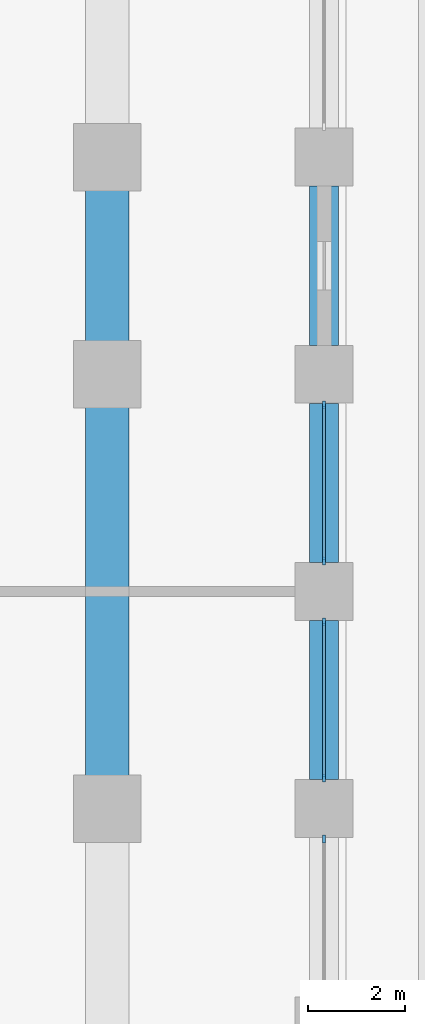
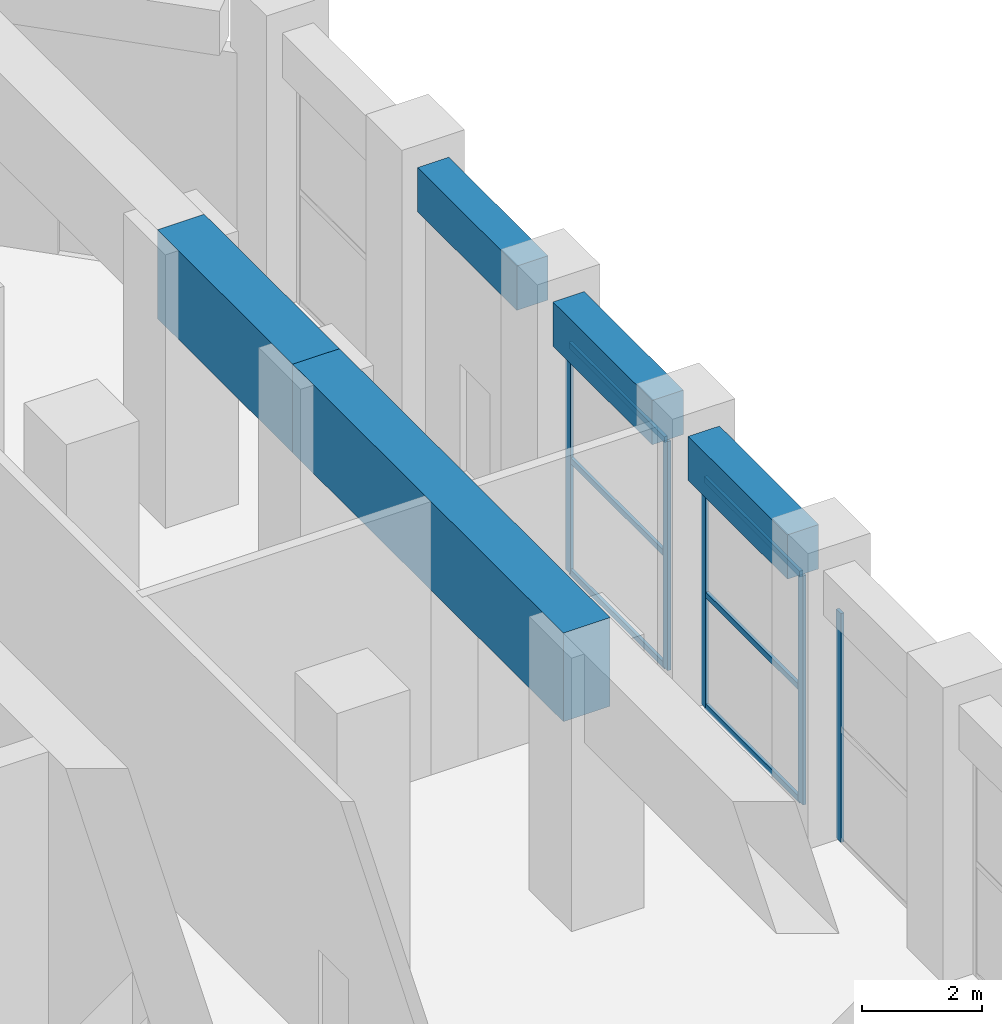
# One storey, part 8 of 24: 11 members, 5 beams, 3 elements without a shape of their own.
"""IFC4 building model written with IfcOpenShell, lengths in metres."""

from ifc_helpers import new_model, si_unit, direction, frame, origin, origin_2d, place, context, subcontext, project, spatial, rectangle, extrude, material, material_profile, profile_set, type_object, element, aggregate, save


model = new_model("IFC4")

# Units and contexts
model_context = context("Model", 3, precision=1e-05, world=origin(), true_north=direction((0.0, 1.0)))
body_context = subcontext(model_context, "Body", "Model", "MODEL_VIEW")
ifc_project = project(units=[si_unit("LENGTHUNIT", "METRE"), si_unit("AREAUNIT", "SQUARE_METRE"), si_unit("VOLUMEUNIT", "CUBIC_METRE"), si_unit("PLANEANGLEUNIT", "RADIAN"), si_unit("MASSUNIT", "GRAM", prefix="KILO")], contexts=[model_context])

# Site, building, storey
site_placement = place(None, origin())
site = spatial("IfcSite", under=ifc_project, at=site_placement, CompositionType="ELEMENT")
building_placement = place(site_placement, origin())
building = spatial("IfcBuilding", under=site, at=building_placement, Name="Corbel Stack Research Tower", CompositionType="ELEMENT")
storey_placement = place(building_placement, frame((0.0, 0.0, 110.699951171875)))
storey = spatial("IfcBuildingStorey", under=building, at=storey_placement, Name="L25", CompositionType="ELEMENT", Elevation=110.699951171875)

# Curtain wall, member
ifc_material_1 = material(Name="Aluminium frame, clear glass", Category="aluminium")
curtain_wall_type = type_object("IfcCurtainWallType", Name="Amenity floor curtain wall CW2", PredefinedType="NOTDEFINED", material=ifc_material_1)
curtain_wall_1_placement = place(storey_placement, origin())
curtain_wall_1 = element("IfcCurtainWall", 1, at=curtain_wall_1_placement, inside=storey, type_object=curtain_wall_type, Name="Curtain wall CW2 L25 E06", PredefinedType="NOTDEFINED")
ifc_material_2 = material(Name="Aluminium mullion", Category="aluminium")
ifc_material_profile_1 = material_profile(ifc_material_2, rectangle(XDim=0.06005859375, YDim=0.159912109375, at=origin_2d()), Name="Mullion 60 x 160")
ifc_profile_set_1 = profile_set([ifc_material_profile_1], Name="Aluminium mullion")
member_type_1 = type_object("IfcMemberType", Name="Curtain wall mullion 60 x 160", PredefinedType="MULLION", material=ifc_profile_set_1)
member_1_placement = place(storey_placement, frame((31.5, 8.3701171875, 0.0), z_axis=(0.0, 0.0, 1.0), x_axis=(-1.0, 0.0, 0.0)))
member_1 = element("IfcMember", 2, at=member_1_placement, type_object=member_type_1, Name="CW2 L25 E06 mullion 2", PredefinedType="MULLION", context=body_context, shape_type="SweptSolid", body=[
    extrude(rectangle(XDim=0.06005859375, YDim=0.159912109375, at=origin_2d()), origin(), (0.0, 0.0, 1.0), 4.650146484375),
])
aggregate(curtain_wall_1, [member_1])

# Curtain wall, members
curtain_wall_2_placement = place(storey_placement, origin())
curtain_wall_2 = element("IfcCurtainWall", 3, at=curtain_wall_2_placement, inside=storey, type_object=curtain_wall_type, Name="Curtain wall CW2 L25 E07", PredefinedType="NOTDEFINED")
member_2_placement = place(storey_placement, frame((31.5, 9.6298828125, 0.0), z_axis=(0.0, 0.0, 1.0), x_axis=(-1.0, 0.0, 0.0)))
member_2 = element("IfcMember", 4, at=member_2_placement, type_object=member_type_1, Name="CW2 L25 E07 mullion 1", PredefinedType="MULLION", context=body_context, shape_type="SweptSolid", body=[
    extrude(rectangle(XDim=0.06005859375, YDim=0.159912109375, at=origin_2d()), origin(), (0.0, 0.0, 1.0), 4.650146484375),
])
member_3_placement = place(storey_placement, frame((31.5, 12.8701171875, 0.0), z_axis=(0.0, 0.0, 1.0), x_axis=(-1.0, 0.0, 0.0)))
member_3 = element("IfcMember", 5, at=member_3_placement, type_object=member_type_1, Name="CW2 L25 E07 mullion 2", PredefinedType="MULLION", context=body_context, shape_type="SweptSolid", body=[
    extrude(rectangle(XDim=0.06005859375, YDim=0.159912109375, at=origin_2d()), origin(), (0.0, 0.0, 1.0), 4.650146484375),
])

curtain_wall_3_placement = place(storey_placement, origin())
curtain_wall_3 = element("IfcCurtainWall", 6, at=curtain_wall_3_placement, inside=storey, type_object=curtain_wall_type, Name="Curtain wall CW2 L25 E08", PredefinedType="NOTDEFINED")
member_4_placement = place(storey_placement, frame((31.5, 14.1298828125, 0.0), z_axis=(0.0, 0.0, 1.0), x_axis=(-1.0, 0.0, 0.0)))
member_4 = element("IfcMember", 7, at=member_4_placement, type_object=member_type_1, Name="CW2 L25 E08 mullion 1", PredefinedType="MULLION", context=body_context, shape_type="SweptSolid", body=[
    extrude(rectangle(XDim=0.06005859375, YDim=0.159912109375, at=origin_2d()), origin(), (0.0, 0.0, 1.0), 4.650146484375),
])
member_5_placement = place(storey_placement, frame((31.5, 17.3701171875, 0.0), z_axis=(0.0, 0.0, 1.0), x_axis=(-1.0, 0.0, 0.0)))
member_5 = element("IfcMember", 8, at=member_5_placement, type_object=member_type_1, Name="CW2 L25 E08 mullion 2", PredefinedType="MULLION", context=body_context, shape_type="SweptSolid", body=[
    extrude(rectangle(XDim=0.06005859375, YDim=0.159912109375, at=origin_2d()), origin(), (0.0, 0.0, 1.0), 4.650146484375),
])

# Member
ifc_material_3 = material(Name="Aluminium transom", Category="aluminium")
ifc_material_profile_2 = material_profile(ifc_material_3, rectangle(XDim=0.06005859375, YDim=0.1201171875, at=origin_2d()), Name="Transom 60 x 120")
ifc_profile_set_2 = profile_set([ifc_material_profile_2], Name="Aluminium transom")
member_type_2 = type_object("IfcMemberType", Name="Curtain wall transom 60 x 120", PredefinedType="USERDEFINED", material=ifc_profile_set_2)
member_6_placement = place(storey_placement, frame((31.5, 9.659912109375, 0.030029296875), z_axis=(0.0, 1.0, 0.0), x_axis=(-1.0, 0.0, 0.0)))
member_6 = element("IfcMember", 9, at=member_6_placement, type_object=member_type_2, Name="CW2 L25 E07 transom 1.1", ObjectType="TRANSOM", PredefinedType="USERDEFINED", context=body_context, shape_type="SweptSolid", body=[
    extrude(rectangle(XDim=0.06005859375, YDim=0.1201171875, at=origin_2d()), origin(), (0.0, 0.0, 1.0), 3.18017578125),
])

member_7_placement = place(storey_placement, frame((31.5, 9.659912109375, 2.300048828125), z_axis=(0.0, 1.0, 0.0), x_axis=(-1.0, 0.0, 0.0)))
member_7 = element("IfcMember", 10, at=member_7_placement, type_object=member_type_2, Name="CW2 L25 E07 transom 1.2", ObjectType="TRANSOM", PredefinedType="USERDEFINED", context=body_context, shape_type="SweptSolid", body=[
    extrude(rectangle(XDim=0.06005859375, YDim=0.1201171875, at=origin_2d()), origin(), (0.0, 0.0, 1.0), 3.18017578125),
])

member_8_placement = place(storey_placement, frame((31.5, 9.659912109375, 4.6201171875), z_axis=(0.0, 1.0, 0.0), x_axis=(-1.0, 0.0, 0.0)))
member_8 = element("IfcMember", 11, at=member_8_placement, type_object=member_type_2, Name="CW2 L25 E07 transom 1.3", ObjectType="TRANSOM", PredefinedType="USERDEFINED", context=body_context, shape_type="SweptSolid", body=[
    extrude(rectangle(XDim=0.06005859375, YDim=0.1201171875, at=origin_2d()), origin(), (0.0, 0.0, 1.0), 3.18017578125),
])

aggregate(curtain_wall_2, [member_2, member_3, member_6, member_7, member_8])

member_9_placement = place(storey_placement, frame((31.5, 14.159912109375, 0.030029296875), z_axis=(0.0, 1.0, 0.0), x_axis=(-1.0, 0.0, 0.0)))
member_9 = element("IfcMember", 12, at=member_9_placement, type_object=member_type_2, Name="CW2 L25 E08 transom 1.1", ObjectType="TRANSOM", PredefinedType="USERDEFINED", context=body_context, shape_type="SweptSolid", body=[
    extrude(rectangle(XDim=0.06005859375, YDim=0.1201171875, at=origin_2d()), origin(), (0.0, 0.0, 1.0), 3.18017578125),
])

member_10_placement = place(storey_placement, frame((31.5, 14.159912109375, 2.300048828125), z_axis=(0.0, 1.0, 0.0), x_axis=(-1.0, 0.0, 0.0)))
member_10 = element("IfcMember", 13, at=member_10_placement, type_object=member_type_2, Name="CW2 L25 E08 transom 1.2", ObjectType="TRANSOM", PredefinedType="USERDEFINED", context=body_context, shape_type="SweptSolid", body=[
    extrude(rectangle(XDim=0.06005859375, YDim=0.1201171875, at=origin_2d()), origin(), (0.0, 0.0, 1.0), 3.18017578125),
])

member_11_placement = place(storey_placement, frame((31.5, 14.159912109375, 4.6201171875), z_axis=(0.0, 1.0, 0.0), x_axis=(-1.0, 0.0, 0.0)))
member_11 = element("IfcMember", 14, at=member_11_placement, type_object=member_type_2, Name="CW2 L25 E08 transom 1.3", ObjectType="TRANSOM", PredefinedType="USERDEFINED", context=body_context, shape_type="SweptSolid", body=[
    extrude(rectangle(XDim=0.06005859375, YDim=0.1201171875, at=origin_2d()), origin(), (0.0, 0.0, 1.0), 3.18017578125),
])

aggregate(curtain_wall_3, [member_4, member_5, member_9, member_10, member_11])

# Beams
ifc_material_4 = material(Name="Concrete C60/75", Category="concrete")
ifc_material_profile_3 = material_profile(ifc_material_4, rectangle(XDim=0.60009765625, YDim=0.89990234375, at=origin_2d()), Name="RC 600 x 900")
ifc_profile_set_3 = profile_set([ifc_material_profile_3], Name="Concrete C60/75")
beam_type_1 = type_object("IfcBeamType", Name="SB-600-900-450", PredefinedType="SPANDREL", material=ifc_profile_set_3)
for number, where, z_axis, x_axis, name in (
    (15, (31.5, 9.60009765625, 5.10009765625), (0.0, 1.0, 0.0), (-1.0, 0.0, 0.0), "Spandrel beam L25-18"),
    (16, (31.5, 14.10009765625, 5.10009765625), (0.0, 1.0, 0.0), (-1.0, 0.0, 0.0), "Spandrel beam L25-19"),
    (17, (31.5, 18.60009765625, 5.10009765625), (0.0, 1.0, 0.0), (-1.0, 0.0, 0.0), "Spandrel beam L25-20"),
):
    element("IfcBeam", number, at=place(storey_placement, frame(where, z_axis=z_axis, x_axis=x_axis)), inside=storey, type_object=beam_type_1, Name=name, PredefinedType="SPANDREL", context=body_context, shape_type="SweptSolid", body=[
        extrude(rectangle(XDim=0.60009765625, YDim=0.89990234375, at=origin_2d()), origin(), (0.0, 0.0, 1.0), 3.2998046875),
    ])
ifc_material_5 = material(Name="Concrete C60/75", Category="concrete")
ifc_material_profile_4 = material_profile(ifc_material_5, rectangle(XDim=0.89990234375, YDim=1.800048828125, at=origin_2d()), Name="RC 900 x 1800")
ifc_profile_set_4 = profile_set([ifc_material_profile_4], Name="Concrete C60/75")
beam_type_2 = type_object("IfcBeamType", Name="TG-900-1800", PredefinedType="BEAM", material=ifc_profile_set_4)
beam_1_placement = place(storey_placement, frame((27.0, 9.0, 4.650146484375), z_axis=(0.0, 1.0, 0.0), x_axis=(-1.0, 0.0, 0.0)))
element("IfcBeam", 18, at=beam_1_placement, inside=storey, type_object=beam_type_2, Name="Transfer girder along the step L25 El9", PredefinedType="BEAM", context=body_context, shape_type="SweptSolid", body=[
    extrude(rectangle(XDim=0.89990234375, YDim=1.800048828125, at=origin_2d()), origin(), (0.0, 0.0, 1.0), 9.0),
])
beam_2_placement = place(storey_placement, frame((27.0, 18.0, 4.650146484375), z_axis=(0.0, 1.0, 0.0), x_axis=(-1.0, 0.0, 0.0)))
element("IfcBeam", 19, at=beam_2_placement, inside=storey, type_object=beam_type_2, Name="Transfer girder along the step L25 El18", PredefinedType="BEAM", context=body_context, shape_type="SweptSolid", body=[
    extrude(rectangle(XDim=0.89990234375, YDim=1.800048828125, at=origin_2d()), origin(), (0.0, 0.0, 1.0), 4.5),
])

save(model, "model.ifc")
